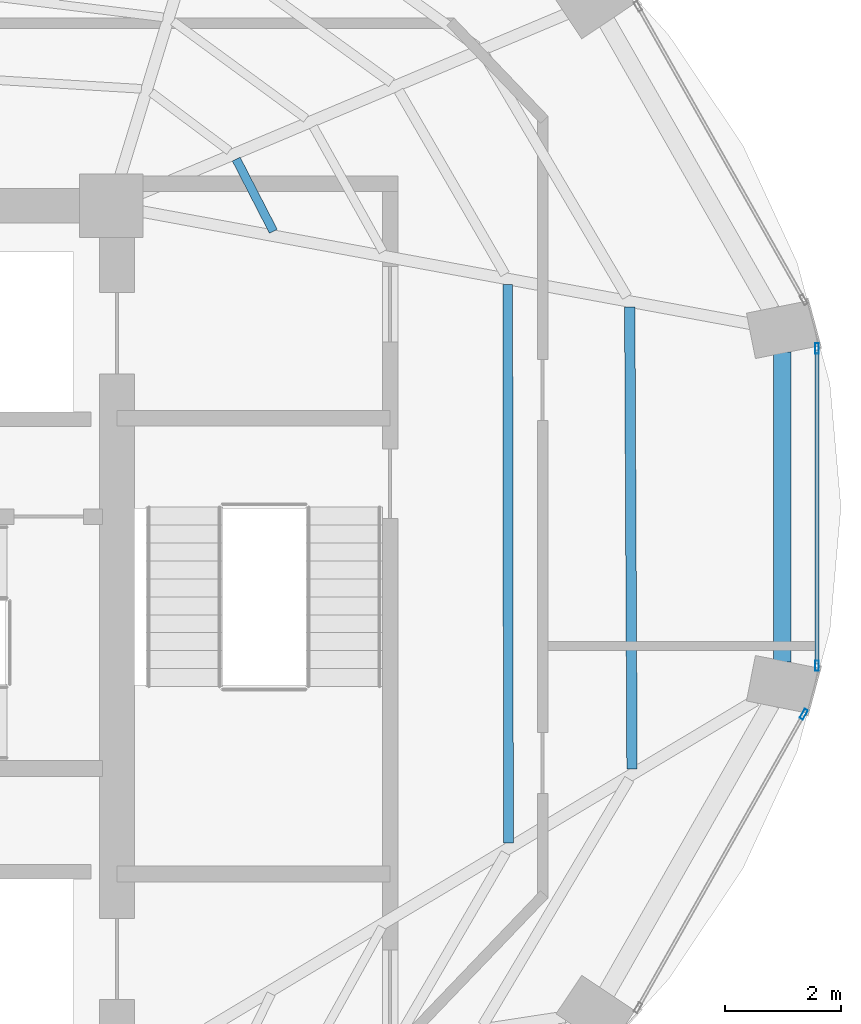
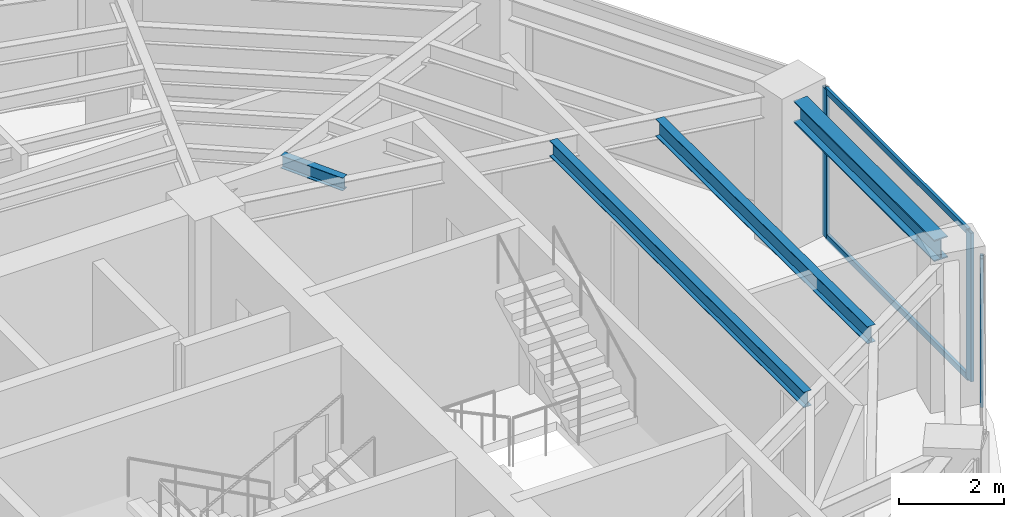
# One storey, part 14 of 23: 5 members, 4 beams, 2 elements without a shape of their own.
"""IFC4 building model written with IfcOpenShell, lengths in metres."""

from ifc_helpers import new_model, si_unit, direction, frame, origin, origin_2d, place, context, subcontext, project, spatial, hollow_rectangle, i_section, extrude, material, layer, layer_set, material_profile, profile_set, type_object, element, aggregate, save


model = new_model("IFC4")

# Units and contexts
model_context = context("Model", 3, precision=1e-05, world=origin(), true_north=direction((0.0, 1.0)))
body_context = subcontext(model_context, "Body", "Model", "MODEL_VIEW")
ifc_project = project(units=[si_unit("LENGTHUNIT", "METRE"), si_unit("AREAUNIT", "SQUARE_METRE"), si_unit("VOLUMEUNIT", "CUBIC_METRE"), si_unit("PLANEANGLEUNIT", "RADIAN"), si_unit("MASSUNIT", "GRAM", prefix="KILO")], contexts=[model_context])

# Site, building, storey
site_placement = place(None, origin())
site = spatial("IfcSite", under=ifc_project, at=site_placement, CompositionType="ELEMENT")
building_placement = place(site_placement, origin())
building = spatial("IfcBuilding", under=site, at=building_placement, Name="Lazwardi Medical Tower", CompositionType="ELEMENT")
storey_placement = place(building_placement, frame((0.0, 0.0, 205.77587890625)))
storey = spatial("IfcBuildingStorey", under=building, at=storey_placement, Name="L53", CompositionType="ELEMENT", Elevation=205.77587890625)

# Beams
ifc_material_1 = material(Name="Steel S355", Category="steel")
ifc_material_profile_1 = material_profile(ifc_material_1, i_section(OverallWidth=0.300048828125, OverallDepth=0.5, WebThickness=0.014404296875, FlangeThickness=0.028076171875, at=origin_2d()), Name="HEB 500")
ifc_profile_set_1 = profile_set([ifc_material_profile_1], Name="Steel S355")
beam_type_1 = type_object("IfcBeamType", Name="BM-RB-Z4", PredefinedType="BEAM", material=ifc_profile_set_1)
beam_1_placement = place(storey_placement, frame((57.18505859375, 27.72705078125, 3.1982421875), z_axis=(0.0, 1.0, 0.0), x_axis=(-1.0, 0.0, 0.0)))
element("IfcBeam", 1, at=beam_1_placement, inside=storey, type_object=beam_type_1, Name="Ring beam RB-05 B04 L53", PredefinedType="BEAM", context=body_context, shape_type="SweptSolid", body=[
    extrude(i_section(OverallWidth=0.300048828125, OverallDepth=0.5, WebThickness=0.014404296875, FlangeThickness=0.028076171875, at=origin_2d()), origin(), (0.0, 0.0, 1.0), 5.345947265625),
])
ifc_material_profile_2 = material_profile(ifc_material_1, i_section(OverallWidth=0.179931640625, OverallDepth=0.39990234375, WebThickness=0.008544921875, FlangeThickness=0.013427734375, at=origin_2d()), Name="IPE 400")
ifc_profile_set_2 = profile_set([ifc_material_profile_2], Name="Steel S355")
beam_type_2 = type_object("IfcBeamType", Name="BM-SJ-01", PredefinedType="JOIST", material=ifc_profile_set_2)
beam_2_placement = place(storey_placement, frame((54.592041015625, 25.879638671875, 3.248046875), z_axis=(-0.004929366644, 0.999987850598, 0.0), x_axis=(-0.999987850598, -0.004929366644, 0.0)))
element("IfcBeam", 2, at=beam_2_placement, inside=storey, type_object=beam_type_2, Name="Secondary joist SJ-01 R1 B04 L53", PredefinedType="JOIST", context=body_context, shape_type="SweptSolid", body=[
    extrude(i_section(OverallWidth=0.179931640625, OverallDepth=0.39990234375, WebThickness=0.008544921875, FlangeThickness=0.013427734375, at=origin_2d()), origin(), (0.0, 0.0, 1.0), 7.973876953125),
])
ifc_material_profile_3 = material_profile(ifc_material_1, i_section(OverallWidth=0.169921875, OverallDepth=0.360107421875, WebThickness=0.008056640625, FlangeThickness=0.0126953125, at=origin_2d()), Name="IPE 360")
ifc_profile_set_3 = profile_set([ifc_material_profile_3], Name="Steel S355")
beam_type_3 = type_object("IfcBeamType", Name="BM-SJ-02", PredefinedType="JOIST", material=ifc_profile_set_3)
beam_3_placement = place(storey_placement, frame((52.458984375, 24.602294921875, 3.26806640625), z_axis=(-0.001367606673, 0.999999064826, 0.0), x_axis=(-0.999999064826, -0.001367606673, 0.0)))
element("IfcBeam", 3, at=beam_3_placement, inside=storey, type_object=beam_type_3, Name="Secondary joist SJ-02 R2 B04 L53", PredefinedType="JOIST", context=body_context, shape_type="SweptSolid", body=[
    extrude(i_section(OverallWidth=0.169921875, OverallDepth=0.360107421875, WebThickness=0.008056640625, FlangeThickness=0.0126953125, at=origin_2d()), origin(), (0.0, 0.0, 1.0), 9.639892578125),
])
ifc_material_profile_4 = material_profile(ifc_material_1, i_section(OverallWidth=0.14990234375, OverallDepth=0.300048828125, WebThickness=0.007080078125, FlangeThickness=0.0107421875, at=origin_2d()), Name="IPE 300")
ifc_profile_set_4 = profile_set([ifc_material_profile_4], Name="Steel S355")
beam_type_4 = type_object("IfcBeamType", Name="BM-SJ-03", PredefinedType="JOIST", material=ifc_profile_set_4)
beam_4_placement = place(storey_placement, frame((48.39990234375, 35.159912109375, 3.298095703125), z_axis=(-0.457285056668, 0.889320176848, 0.0), x_axis=(-0.889320176848, -0.457285056668, 0.0)))
element("IfcBeam", 4, at=beam_4_placement, inside=storey, type_object=beam_type_4, Name="Secondary joist SJ-03 R4 B05 L53", PredefinedType="JOIST", context=body_context, shape_type="SweptSolid", body=[
    extrude(i_section(OverallWidth=0.14990234375, OverallDepth=0.300048828125, WebThickness=0.007080078125, FlangeThickness=0.0107421875, at=origin_2d()), origin(), (0.0, 0.0, 1.0), 1.402099609375),
])

# Curtain wall, member
ifc_material_2 = material(Name="Anodised bronze aluminium and solar control glazing", Category="aluminium")
ifc_layer = layer(ifc_material_2, 0.18994140625)
ifc_layer_set = layer_set([ifc_layer], Name="Anodised bronze aluminium and solar control glazing")
curtain_wall_type = type_object("IfcCurtainWallType", Name="CW-SYS-04", PredefinedType="NOTDEFINED", material=ifc_layer_set)
curtain_wall_1_placement = place(storey_placement, origin())
curtain_wall_1 = element("IfcCurtainWall", 5, at=curtain_wall_1_placement, inside=storey, type_object=curtain_wall_type, Name="L53 Unitised bronze curtain wall CW-04", PredefinedType="NOTDEFINED")
ifc_material_3 = material(Name="Anodised bronze aluminium", Category="aluminium")
ifc_material_profile_5 = material_profile(ifc_material_3, hollow_rectangle(XDim=0.06494140625, YDim=0.179931640625, WallThickness=0.00390625, at=origin_2d()), Name="ALU-MULLION 180x65x4")
ifc_profile_set_5 = profile_set([ifc_material_profile_5], Name="Anodised bronze aluminium")
member_type_1 = type_object("IfcMemberType", Name="CW-MUL-03", PredefinedType="MULLION", material=ifc_profile_set_5)
member_1_placement = place(storey_placement, frame((57.557373046875, 26.82177734375, 0.0), z_axis=(0.0, 0.0, 1.0), x_axis=(-0.870651436011, 0.491900474661, 0.0)))
member_1 = element("IfcMember", 6, at=member_1_placement, type_object=member_type_1, Name="CW-04 mullion 2", PredefinedType="MULLION", context=body_context, shape_type="SweptSolid", body=[
    extrude(hollow_rectangle(XDim=0.06494140625, YDim=0.179931640625, WallThickness=0.00390625, at=origin_2d()), origin(), (0.0, 0.0, 1.0), 3.4482421875),
])
aggregate(curtain_wall_1, [member_1])

# Curtain wall, members
curtain_wall_2_placement = place(storey_placement, origin())
curtain_wall_2 = element("IfcCurtainWall", 7, at=curtain_wall_2_placement, inside=storey, type_object=curtain_wall_type, Name="L53 Unitised bronze curtain wall CW-04", PredefinedType="NOTDEFINED")
member_2_placement = place(storey_placement, frame((57.7841796875, 27.659423828125, 0.0), z_axis=(0.0, 0.0, 1.0), x_axis=(-1.0, 0.0, 0.0)))
member_2 = element("IfcMember", 8, at=member_2_placement, type_object=member_type_1, Name="CW-04 mullion 1", PredefinedType="MULLION", context=body_context, shape_type="SweptSolid", body=[
    extrude(hollow_rectangle(XDim=0.06494140625, YDim=0.179931640625, WallThickness=0.00390625, at=origin_2d()), origin(), (0.0, 0.0, 1.0), 3.4482421875),
])
member_3_placement = place(storey_placement, frame((57.7841796875, 33.140380859375, 0.0), z_axis=(0.0, 0.0, 1.0), x_axis=(-1.0, 0.0, 0.0)))
member_3 = element("IfcMember", 9, at=member_3_placement, type_object=member_type_1, Name="CW-04 mullion 2", PredefinedType="MULLION", context=body_context, shape_type="SweptSolid", body=[
    extrude(hollow_rectangle(XDim=0.06494140625, YDim=0.179931640625, WallThickness=0.00390625, at=origin_2d()), origin(), (0.0, 0.0, 1.0), 3.4482421875),
])
ifc_material_profile_6 = material_profile(ifc_material_3, hollow_rectangle(XDim=0.06494140625, YDim=0.139892578125, WallThickness=0.00341796875, at=origin_2d()), Name="ALU-TRANSOM 140x65x3.5")
ifc_profile_set_6 = profile_set([ifc_material_profile_6], Name="Anodised bronze aluminium")
member_type_2 = type_object("IfcMemberType", Name="CW-TRN-03", PredefinedType="USERDEFINED", material=ifc_profile_set_6)
member_4_placement = place(storey_placement, frame((57.7841796875, 27.69189453125, 0.03271484375), z_axis=(0.0, 1.0, 0.0), x_axis=(-1.0, 0.0, 0.0)))
member_4 = element("IfcMember", 10, at=member_4_placement, type_object=member_type_2, Name="CW-04 transom 1.1", ObjectType="TRANSOM", PredefinedType="USERDEFINED", context=body_context, shape_type="SweptSolid", body=[
    extrude(hollow_rectangle(XDim=0.06494140625, YDim=0.139892578125, WallThickness=0.00341796875, at=origin_2d()), origin(), (0.0, 0.0, 1.0), 5.416015625),
])
member_5_placement = place(storey_placement, frame((57.7841796875, 27.69189453125, 3.41552734375), z_axis=(0.0, 1.0, 0.0), x_axis=(-1.0, 0.0, 0.0)))
member_5 = element("IfcMember", 11, at=member_5_placement, type_object=member_type_2, Name="CW-04 transom 1.2", ObjectType="TRANSOM", PredefinedType="USERDEFINED", context=body_context, shape_type="SweptSolid", body=[
    extrude(hollow_rectangle(XDim=0.06494140625, YDim=0.139892578125, WallThickness=0.00341796875, at=origin_2d()), origin(), (0.0, 0.0, 1.0), 5.416015625),
])
aggregate(curtain_wall_2, [member_2, member_3, member_4, member_5])

save(model, "model.ifc")
